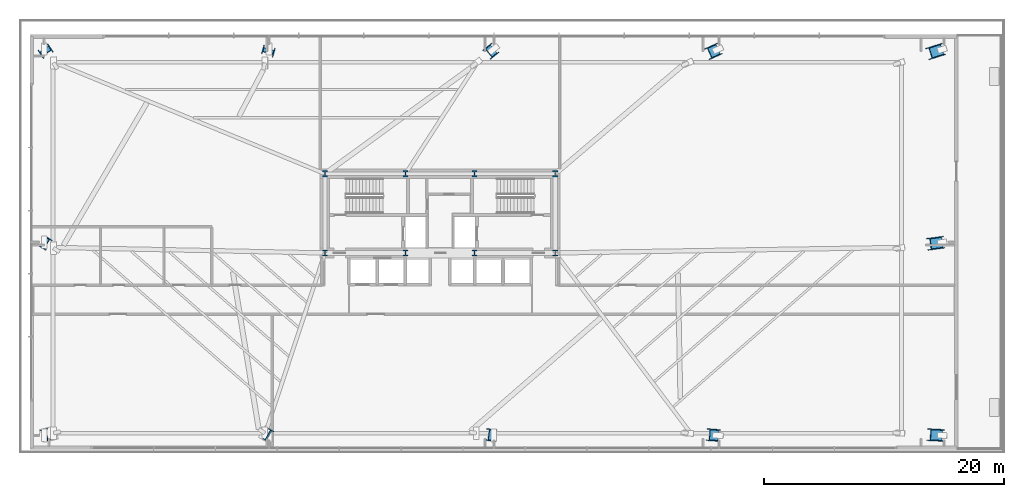
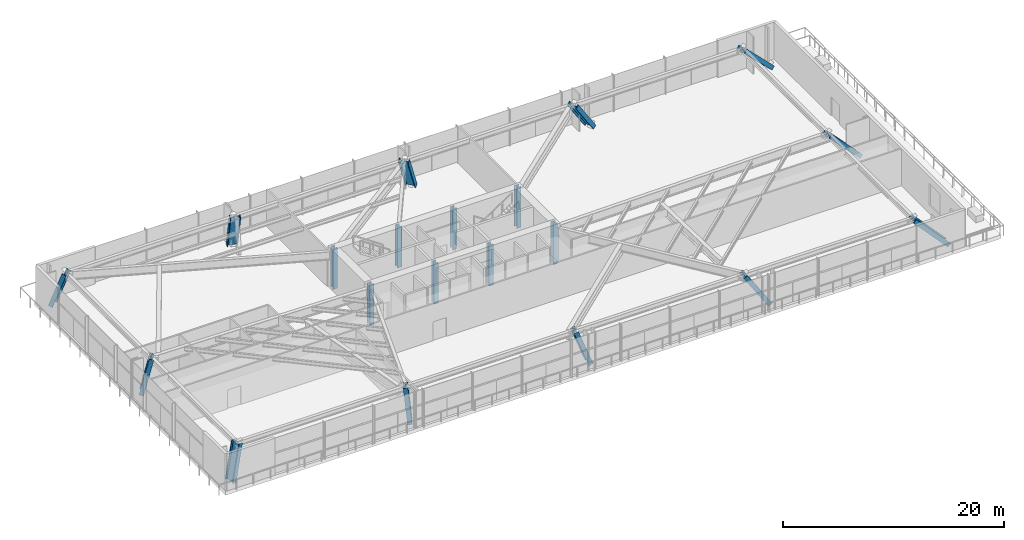
# One storey, part 1 of 36: 20 columns.
"""IFC4 building model written with IfcOpenShell, lengths in metres."""

from ifc_helpers import new_model, si_unit, direction, frame, origin, origin_2d, place, context, subcontext, project, spatial, i_section, extrude, source, transform, mapped, material, material_profile, profile_set, type_object, type_shapes, element, save


model = new_model("IFC4")

# Units and contexts
model_context = context("Model", 3, precision=1e-05, world=origin(), true_north=direction((0.0, 1.0)))
body_context = subcontext(model_context, "Body", "Model", "MODEL_VIEW")
ifc_project = project(units=[si_unit("LENGTHUNIT", "METRE"), si_unit("AREAUNIT", "SQUARE_METRE"), si_unit("VOLUMEUNIT", "CUBIC_METRE"), si_unit("PLANEANGLEUNIT", "RADIAN"), si_unit("MASSUNIT", "GRAM", prefix="KILO")], contexts=[model_context])

# Site, building, storey
site_placement = place(None, origin())
site = spatial("IfcSite", under=ifc_project, at=site_placement, CompositionType="ELEMENT")
building_placement = place(site_placement, origin())
building = spatial("IfcBuilding", under=site, at=building_placement, Name="Astriad Promenade Condominiums", CompositionType="ELEMENT")
storey_placement = place(building_placement, frame((0.0, 0.0, 5.0)))
storey = spatial("IfcBuildingStorey", under=building, at=storey_placement, Name="L01", CompositionType="ELEMENT", Elevation=5.0)

# Columns
ifc_material = material(Name="Steel ASTM A992 Grade 50", Category="steel")
ifc_material_profile_1 = material_profile(ifc_material, i_section(OverallWidth=0.43701171875, OverallDepth=0.51416015625, WebThickness=0.060546875, FlangeThickness=0.096923828125, FilletRadius=0.017822265625, at=origin_2d()), Name="W14X550")
ifc_profile_set_1 = profile_set([ifc_material_profile_1], Name="Steel ASTM A992 Grade 50")
column_type_1 = type_object("IfcColumnType", Name="STEEL CORE PILASTER W14X550", PredefinedType="PILASTER", material=ifc_profile_set_1)
shared_shape_1 = source(origin(), body_context, "Body", "SweptSolid", [
    extrude(i_section(OverallWidth=0.43701171875, OverallDepth=0.51416015625, WebThickness=0.060546875, FlangeThickness=0.096923828125, FilletRadius=0.017822265625, at=origin_2d()), origin(), (0.0, 0.0, 1.0), 4.49609375),
])
type_shapes(column_type_1, [shared_shape_1])
for number, where, z_axis, x_axis, name in (
    (1, (26.39990234375, 17.39990234375, 0.001953125), (0.0, 0.0, 1.0), (1.0, 0.0, 0.0), "Core Pilaster Column CP1 (L01)"),
    (2, (33.1201171875, 17.39990234375, 0.001953125), (0.0, 0.0, 1.0), (1.0, 0.0, 0.0), "Core Pilaster Column CP2 (L01)"),
    (3, (38.8798828125, 17.39990234375, 0.001953125), (0.0, 0.0, 1.0), (1.0, 0.0, 0.0), "Core Pilaster Column CP3 (L01)"),
    (4, (45.60009765625, 17.39990234375, 0.001953125), (0.0, 0.0, 1.0), (1.0, 0.0, 0.0), "Core Pilaster Column CP4 (L01)"),
    (5, (26.39990234375, 24.0, 0.001953125), (0.0, 0.0, 1.0), (1.0, 0.0, 0.0), "Core Pilaster Column CP5 (L01)"),
    (6, (33.1201171875, 24.0, 0.001953125), (0.0, 0.0, 1.0), (1.0, 0.0, 0.0), "Core Pilaster Column CP6 (L01)"),
    (7, (38.8798828125, 24.0, 0.001953125), (0.0, 0.0, 1.0), (1.0, 0.0, 0.0), "Core Pilaster Column CP7 (L01)"),
    (8, (45.60009765625, 24.0, 0.001953125), (0.0, 0.0, 1.0), (1.0, 0.0, 0.0), "Core Pilaster Column CP8 (L01)"),
):
    element("IfcColumn", number, at=place(storey_placement, frame(where, z_axis=z_axis, x_axis=x_axis)), inside=storey, type_object=column_type_1, Name=name, PredefinedType="PILASTER", context=body_context, shape_type="MappedRepresentation", body=[
        mapped(shared_shape_1, transform((0.0, 0.0, 0.0), scale=1.0)),
    ])
ifc_material_profile_2 = material_profile(ifc_material, i_section(OverallWidth=0.4375, OverallDepth=1.01123046875, WebThickness=0.041015625, FlangeThickness=0.073974609375, FilletRadius=0.024169921875, at=origin_2d()), Name="W36X529")
ifc_profile_set_2 = profile_set([ifc_material_profile_2], Name="Steel ASTM A992 Grade 50")
column_type_2 = type_object("IfcColumnType", Name="STEEL RAKING MEGA COLUMN W36X529", PredefinedType="COLUMN", material=ifc_profile_set_2)
shared_shape_2 = source(origin(), body_context, "Body", "SweptSolid", [
    extrude(i_section(OverallWidth=0.4375, OverallDepth=1.01123046875, WebThickness=0.041015625, FlangeThickness=0.073974609375, FilletRadius=0.024169921875, at=origin_2d()), origin(), (0.0, 0.0, 1.0), 4.049560546875),
])
column_1_placement = place(storey_placement, frame((2.99072265625, 2.1826171875, 0.055419921875), z_axis=(0.192259373615, 0.04804977133, 0.980167104494), x_axis=(-0.950919303155, -0.237655278964, 0.198172771257)))
element("IfcColumn", 9, at=column_1_placement, inside=storey, type_object=column_type_2, Name="Raking Mega-Strut Column PC01 (L01)", PredefinedType="COLUMN", context=body_context, shape_type="MappedRepresentation", body=[
    mapped(shared_shape_2, transform((0.0, 0.0, 0.0), scale=1.0)),
])
shared_shape_3 = source(origin(), body_context, "Body", "SweptSolid", [
    extrude(i_section(OverallWidth=0.4375, OverallDepth=1.01123046875, WebThickness=0.041015625, FlangeThickness=0.073974609375, FilletRadius=0.024169921875, at=origin_2d()), origin(), (0.0, 0.0, 1.0), 4.032470703125),
])
column_2_placement = place(storey_placement, frame((21.737060546875, 2.181640625, 0.033447265625), z_axis=(-0.085366370454, 0.048798081266, 0.995153922798), x_axis=(0.863960144879, -0.493866579271, 0.098329395095)))
element("IfcColumn", 10, at=column_2_placement, inside=storey, type_object=column_type_2, Name="Raking Mega-Strut Column PC02 (L01)", PredefinedType="COLUMN", context=body_context, shape_type="MappedRepresentation", body=[
    mapped(shared_shape_3, transform((0.0, 0.0, 0.0), scale=1.0)),
])
shared_shape_4 = source(origin(), body_context, "Body", "SweptSolid", [
    extrude(i_section(OverallWidth=0.4375, OverallDepth=1.01123046875, WebThickness=0.041015625, FlangeThickness=0.073974609375, FilletRadius=0.024169921875, at=origin_2d()), origin(), (0.0, 0.0, 1.0), 4.163818359375),
])
column_3_placement = place(storey_placement, frame((40.467529296875, 2.184326171875, 0.087890625), z_axis=(-0.344646940033, 0.045968560903, 0.937606195657), x_axis=(0.92937589654, -0.123958949113, 0.347699039207)))
element("IfcColumn", 11, at=column_3_placement, inside=storey, type_object=column_type_2, Name="Raking Mega-Strut Column PC03 (L01)", PredefinedType="COLUMN", context=body_context, shape_type="MappedRepresentation", body=[
    mapped(shared_shape_4, transform((0.0, 0.0, 0.0), scale=1.0)),
])
shared_shape_5 = source(origin(), body_context, "Body", "SweptSolid", [
    extrude(i_section(OverallWidth=0.4375, OverallDepth=1.01123046875, WebThickness=0.041015625, FlangeThickness=0.073974609375, FilletRadius=0.024169921875, at=origin_2d()), origin(), (0.0, 0.0, 1.0), 4.5556640625),
])
column_4_placement = place(storey_placement, frame((59.1748046875, 2.186279296875, 0.13134765625), z_axis=(-0.544273429508, 0.041104541201, 0.837900262934), x_axis=(0.835520932565, -0.06310009406, 0.545823368294)))
element("IfcColumn", 12, at=column_4_placement, inside=storey, type_object=column_type_2, Name="Raking Mega-Strut Column PC04 (L01)", PredefinedType="COLUMN", context=body_context, shape_type="MappedRepresentation", body=[
    mapped(shared_shape_5, transform((0.0, 0.0, 0.0), scale=1.0)),
])
shared_shape_6 = source(origin(), body_context, "Body", "SweptSolid", [
    extrude(i_section(OverallWidth=0.4375, OverallDepth=1.01123046875, WebThickness=0.041015625, FlangeThickness=0.073974609375, FilletRadius=0.024169921875, at=origin_2d()), origin(), (0.0, 0.0, 1.0), 5.13818359375),
])
column_5_placement = place(storey_placement, frame((77.869873046875, 2.18798828125, 0.1611328125), z_axis=(-0.681119746159, 0.035825900844, 0.731295013124), x_axis=(0.730285504781, -0.038411947723, 0.682061290339)))
element("IfcColumn", 13, at=column_5_placement, inside=storey, type_object=column_type_2, Name="Raking Mega-Strut Column PC05 (L01)", PredefinedType="COLUMN", context=body_context, shape_type="MappedRepresentation", body=[
    mapped(shared_shape_6, transform((0.0, 0.0, 0.0), scale=1.0)),
])
shared_shape_7 = source(origin(), body_context, "Body", "SweptSolid", [
    extrude(i_section(OverallWidth=0.4375, OverallDepth=1.01123046875, WebThickness=0.041015625, FlangeThickness=0.073974609375, FilletRadius=0.024169921875, at=origin_2d()), origin(), (0.0, 0.0, 1.0), 4.147216796875),
])
column_6_placement = place(storey_placement, frame((2.99658203125, 34.39501953125, 0.0849609375), z_axis=(0.184904801309, -0.277268899766, 0.942831995467), x_axis=(-0.523104384662, 0.784406765921, 0.333268402829)))
element("IfcColumn", 14, at=column_6_placement, inside=storey, type_object=column_type_2, Name="Raking Mega-Strut Column PC06 (L01)", PredefinedType="COLUMN", context=body_context, shape_type="MappedRepresentation", body=[
    mapped(shared_shape_7, transform((0.0, 0.0, 0.0), scale=1.0)),
])
shared_shape_8 = source(origin(), body_context, "Body", "SweptSolid", [
    extrude(i_section(OverallWidth=0.4375, OverallDepth=1.01123046875, WebThickness=0.041015625, FlangeThickness=0.073974609375, FilletRadius=0.024169921875, at=origin_2d()), origin(), (0.0, 0.0, 1.0), 4.10791015625),
])
column_7_placement = place(storey_placement, frame((21.7333984375, 34.397705078125, 0.076171875), z_axis=(-0.08201510328, -0.281228600523, 0.956129696789), x_axis=(0.267686520286, 0.917893198547, 0.292943685574)))
element("IfcColumn", 15, at=column_7_placement, inside=storey, type_object=column_type_2, Name="Raking Mega-Strut Column PC07 (L01)", PredefinedType="COLUMN", context=body_context, shape_type="MappedRepresentation", body=[
    mapped(shared_shape_8, transform((0.0, 0.0, 0.0), scale=1.0)),
])
shared_shape_9 = source(origin(), body_context, "Body", "SweptSolid", [
    extrude(i_section(OverallWidth=0.4375, OverallDepth=1.01123046875, WebThickness=0.041015625, FlangeThickness=0.073974609375, FilletRadius=0.024169921875, at=origin_2d()), origin(), (0.0, 0.0, 1.0), 4.277099609375),
])
column_8_placement = place(storey_placement, frame((40.461181640625, 34.38916015625, 0.10498046875), z_axis=(-0.332544906695, -0.266104420703, 0.90476644628), x_axis=(0.706432913494, 0.56529183706, 0.425908062481)))
element("IfcColumn", 16, at=column_8_placement, inside=storey, type_object=column_type_2, Name="Raking Mega-Strut Column PC08 (L01)", PredefinedType="COLUMN", context=body_context, shape_type="MappedRepresentation", body=[
    mapped(shared_shape_9, transform((0.0, 0.0, 0.0), scale=1.0)),
])
shared_shape_10 = source(origin(), body_context, "Body", "SweptSolid", [
    extrude(i_section(OverallWidth=0.4375, OverallDepth=1.01123046875, WebThickness=0.041015625, FlangeThickness=0.073974609375, FilletRadius=0.024169921875, at=origin_2d()), origin(), (0.0, 0.0, 1.0), 4.66943359375),
])
column_9_placement = place(storey_placement, frame((59.169677734375, 34.379150390625, 0.138916015625), z_axis=(-0.528858288153, -0.239463268387, 0.814227397074), x_axis=(0.741734249024, 0.335851988189, 0.580546075566)))
element("IfcColumn", 17, at=column_9_placement, inside=storey, type_object=column_type_2, Name="Raking Mega-Strut Column PC09 (L01)", PredefinedType="COLUMN", context=body_context, shape_type="MappedRepresentation", body=[
    mapped(shared_shape_10, transform((0.0, 0.0, 0.0), scale=1.0)),
])
shared_shape_11 = source(origin(), body_context, "Body", "SweptSolid", [
    extrude(i_section(OverallWidth=0.4375, OverallDepth=1.01123046875, WebThickness=0.041015625, FlangeThickness=0.073974609375, FilletRadius=0.024169921875, at=origin_2d()), origin(), (0.0, 0.0, 1.0), 5.242431640625),
])
column_10_placement = place(storey_placement, frame((77.866455078125, 34.37158203125, 0.164794921875), z_axis=(-0.666275773327, -0.210402875787, 0.715407033609), x_axis=(0.682199745765, 0.215431498663, 0.698707933447)))
element("IfcColumn", 18, at=column_10_placement, inside=storey, type_object=column_type_2, Name="Raking Mega-Strut Column PC10 (L01)", PredefinedType="COLUMN", context=body_context, shape_type="MappedRepresentation", body=[
    mapped(shared_shape_11, transform((0.0, 0.0, 0.0), scale=1.0)),
])
shared_shape_12 = source(origin(), body_context, "Body", "SweptSolid", [
    extrude(i_section(OverallWidth=0.4375, OverallDepth=1.01123046875, WebThickness=0.041015625, FlangeThickness=0.073974609375, FilletRadius=0.024169921875, at=origin_2d()), origin(), (0.0, 0.0, 1.0), 4.06201171875),
])
column_11_placement = place(storey_placement, frame((2.991943359375, 18.29248046875, 0.061279296875), z_axis=(0.191071642999, -0.119367185591, 0.974291076756), x_axis=(-0.826299381934, 0.516209679937, 0.225292915455)))
element("IfcColumn", 19, at=column_11_placement, inside=storey, type_object=column_type_2, Name="Raking Mega-Strut Column PC11 (L01)", PredefinedType="COLUMN", context=body_context, shape_type="MappedRepresentation", body=[
    mapped(shared_shape_12, transform((0.0, 0.0, 0.0), scale=1.0)),
])
shared_shape_13 = source(origin(), body_context, "Body", "SweptSolid", [
    extrude(i_section(OverallWidth=0.4375, OverallDepth=1.01123046875, WebThickness=0.041015625, FlangeThickness=0.073974609375, FilletRadius=0.024169921875, at=origin_2d()), origin(), (0.0, 0.0, 1.0), 5.154052734375),
])
type_shapes(column_type_2, [shared_shape_2, shared_shape_3, shared_shape_4, shared_shape_5, shared_shape_6, shared_shape_7, shared_shape_8, shared_shape_9, shared_shape_10, shared_shape_11, shared_shape_12, shared_shape_13])
column_12_placement = place(storey_placement, frame((77.869384765625, 18.2802734375, 0.16162109375), z_axis=(-0.678825179895, -0.089335307325, 0.72884537318), x_axis=(0.722614644712, 0.095098124341, 0.68467833469)))
element("IfcColumn", 20, at=column_12_placement, inside=storey, type_object=column_type_2, Name="Raking Mega-Strut Column PC12 (L01)", PredefinedType="COLUMN", context=body_context, shape_type="MappedRepresentation", body=[
    mapped(shared_shape_13, transform((0.0, 0.0, 0.0), scale=1.0)),
])

save(model, "model.ifc")
